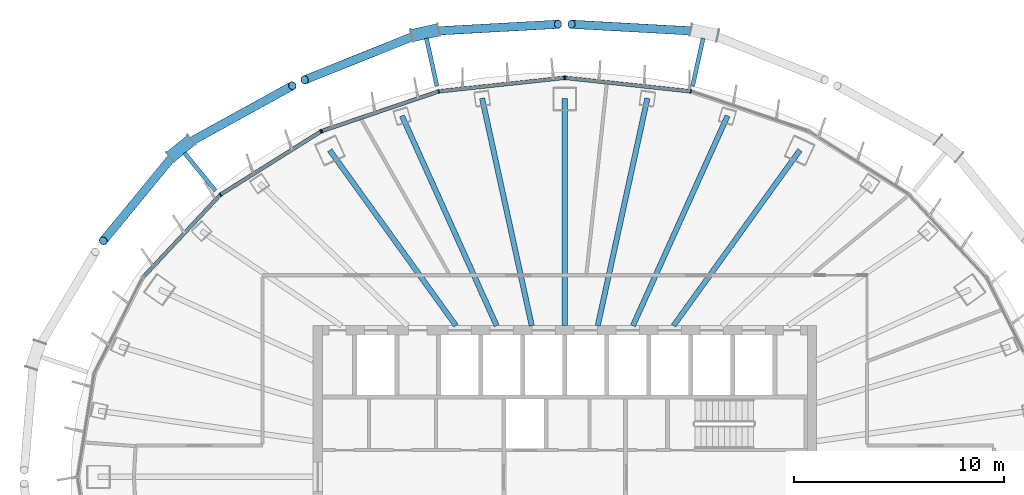
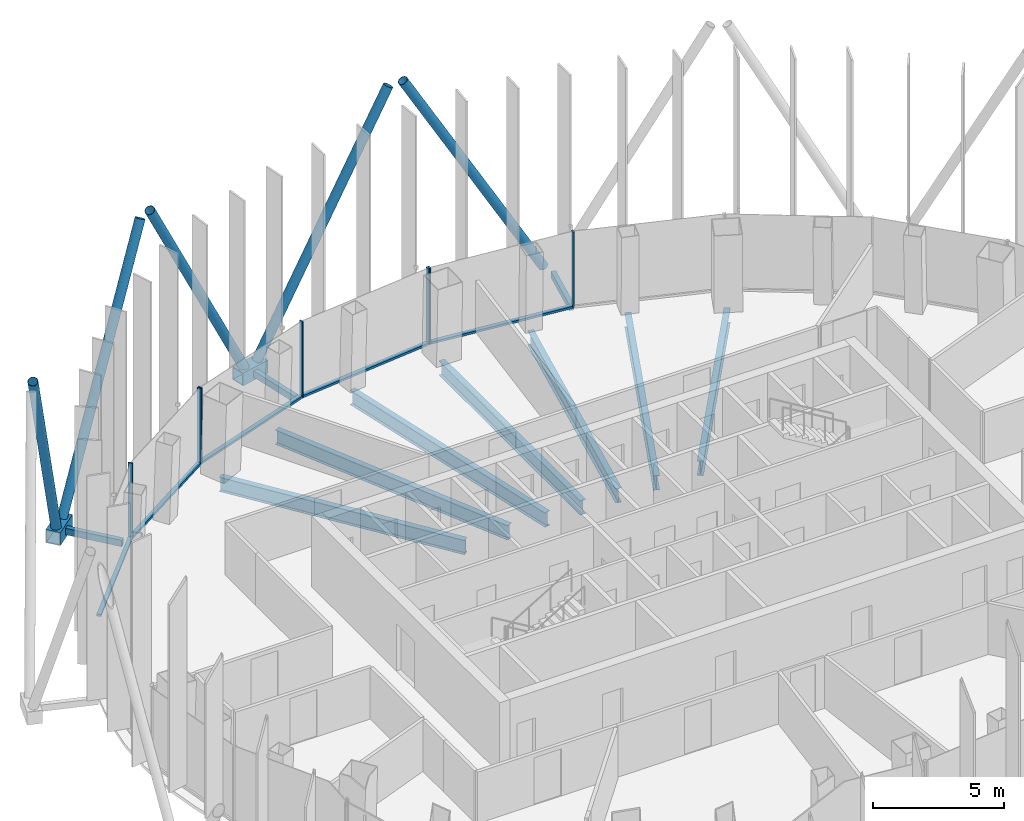
# One storey, part 7 of 19: 22 members, 7 beams, 3 elements without a shape of their own.
"""IFC4 building model written with IfcOpenShell, lengths in metres."""

from ifc_helpers import new_model, si_unit, direction, frame, origin, origin_2d, place, context, subcontext, project, spatial, rectangle, hollow_rectangle, hollow_circle, i_section, extrude, material, layer, layer_set, material_profile, profile_set, type_object, element, aggregate, save


model = new_model("IFC4")

# Units and contexts
model_context = context("Model", 3, precision=1e-05, world=origin(), true_north=direction((0.0, 1.0)))
body_context = subcontext(model_context, "Body", "Model", "MODEL_VIEW")
ifc_project = project(units=[si_unit("LENGTHUNIT", "METRE"), si_unit("AREAUNIT", "SQUARE_METRE"), si_unit("VOLUMEUNIT", "CUBIC_METRE"), si_unit("PLANEANGLEUNIT", "RADIAN"), si_unit("MASSUNIT", "GRAM", prefix="KILO")], contexts=[model_context])

# Site, building, storey
site_placement = place(None, origin())
site = spatial("IfcSite", under=ifc_project, at=site_placement, CompositionType="ELEMENT")
building_placement = place(site_placement, origin())
building = spatial("IfcBuilding", under=site, at=building_placement, Name="Siaravel Broadcast Tower", CompositionType="ELEMENT")
storey_placement = place(building_placement, frame((0.0, 0.0, 179.300048828125)))
storey = spatial("IfcBuildingStorey", under=building, at=storey_placement, Name="L43", CompositionType="ELEMENT", Elevation=179.300048828125)

# Beams
ifc_material_1 = material(Name="Steel S355", Category="steel")
ifc_material_profile_1 = material_profile(ifc_material_1, i_section(OverallWidth=0.2529296875, OverallDepth=0.677978515625, WebThickness=0.01171875, FlangeThickness=0.01611328125, FilletRadius=0.01513671875, at=origin_2d()))
ifc_profile_set_1 = profile_set([ifc_material_profile_1], Name="Steel S355")
beam_type = type_object("IfcBeamType", Name="BM-UB 686x254x125", PredefinedType="BEAM", material=ifc_profile_set_1)
beam_1_placement = place(storey_placement, frame((11.197998046875, 15.559814453125, -0.489013671875), z_axis=(-0.584129245, -0.811660659, 0.0), x_axis=(0.811660659, -0.584129245, 0.0)))
element("IfcBeam", 1, at=beam_1_placement, inside=storey, type_object=beam_type, Name="Radial beam RB07", PredefinedType="BEAM", context=body_context, shape_type="SweptSolid", body=[
    extrude(i_section(OverallWidth=0.2529296875, OverallDepth=0.677978515625, WebThickness=0.01171875, FlangeThickness=0.01611328125, FilletRadius=0.01513671875, at=origin_2d()), origin(), (0.0, 0.0, 1.0), 10.2998046875),
])
beam_2_placement = place(storey_placement, frame((7.7529296875, 17.19580078125, -0.489013671875), z_axis=(-0.411024671, -0.911624221, 0.0), x_axis=(0.911624221, -0.411024671, 0.0)))
element("IfcBeam", 2, at=beam_2_placement, inside=storey, type_object=beam_type, Name="Radial beam RB08", PredefinedType="BEAM", context=body_context, shape_type="SweptSolid", body=[
    extrude(i_section(OverallWidth=0.2529296875, OverallDepth=0.677978515625, WebThickness=0.01171875, FlangeThickness=0.01611328125, FilletRadius=0.01513671875, at=origin_2d()), origin(), (0.0, 0.0, 1.0), 10.96484375),
])
beam_3_placement = place(storey_placement, frame((3.93798828125, 18.033203125, -0.489013671875), z_axis=(-0.213348199, -0.976976226, 0.0), x_axis=(0.976976226, -0.213348199, 0.0)))
element("IfcBeam", 3, at=beam_3_placement, inside=storey, type_object=beam_type, Name="Radial beam RB09", PredefinedType="BEAM", context=body_context, shape_type="SweptSolid", body=[
    extrude(i_section(OverallWidth=0.2529296875, OverallDepth=0.677978515625, WebThickness=0.01171875, FlangeThickness=0.01611328125, FilletRadius=0.01513671875, at=origin_2d()), origin(), (0.0, 0.0, 1.0), 11.088623046875),
])
beam_4_placement = place(storey_placement, frame((0.0, 18.015380859375, -0.489013671875), z_axis=(0.0, -1.0, 0.0), x_axis=(1.0, 0.0, 0.0)))
element("IfcBeam", 4, at=beam_4_placement, inside=storey, type_object=beam_type, Name="Radial beam RB10", PredefinedType="BEAM", context=body_context, shape_type="SweptSolid", body=[
    extrude(i_section(OverallWidth=0.2529296875, OverallDepth=0.677978515625, WebThickness=0.01171875, FlangeThickness=0.01611328125, FilletRadius=0.01513671875, at=origin_2d()), origin(), (0.0, 0.0, 1.0), 10.8154296875),
])
beam_5_placement = place(storey_placement, frame((-3.93798828125, 18.033203125, -0.489013671875), z_axis=(0.213348199, -0.976976226, 0.0), x_axis=(0.976976226, 0.213348199, 0.0)))
element("IfcBeam", 5, at=beam_5_placement, inside=storey, type_object=beam_type, Name="Radial beam RB11", PredefinedType="BEAM", context=body_context, shape_type="SweptSolid", body=[
    extrude(i_section(OverallWidth=0.2529296875, OverallDepth=0.677978515625, WebThickness=0.01171875, FlangeThickness=0.01611328125, FilletRadius=0.01513671875, at=origin_2d()), origin(), (0.0, 0.0, 1.0), 11.088623046875),
])
beam_6_placement = place(storey_placement, frame((-7.7529296875, 17.19580078125, -0.489013671875), z_axis=(0.411024671, -0.911624221, 0.0), x_axis=(0.911624221, 0.411024671, 0.0)))
element("IfcBeam", 6, at=beam_6_placement, inside=storey, type_object=beam_type, Name="Radial beam RB12", PredefinedType="BEAM", context=body_context, shape_type="SweptSolid", body=[
    extrude(i_section(OverallWidth=0.2529296875, OverallDepth=0.677978515625, WebThickness=0.01171875, FlangeThickness=0.01611328125, FilletRadius=0.01513671875, at=origin_2d()), origin(), (0.0, 0.0, 1.0), 10.96484375),
])
beam_7_placement = place(storey_placement, frame((-11.197998046875, 15.559814453125, -0.489013671875), z_axis=(0.584129245, -0.811660659, 0.0), x_axis=(0.811660659, 0.584129245, 0.0)))
element("IfcBeam", 7, at=beam_7_placement, inside=storey, type_object=beam_type, Name="Radial beam RB13", PredefinedType="BEAM", context=body_context, shape_type="SweptSolid", body=[
    extrude(i_section(OverallWidth=0.2529296875, OverallDepth=0.677978515625, WebThickness=0.01171875, FlangeThickness=0.01611328125, FilletRadius=0.01513671875, at=origin_2d()), origin(), (0.0, 0.0, 1.0), 10.2998046875),
])

# Curtain wall, members
ifc_material_2 = material(Name="Aluminium 6063-T6", Category="aluminium")
ifc_layer = layer(ifc_material_2, 0.179931640625)
ifc_layer_set = layer_set([ifc_layer], Name="Aluminium 6063-T6")
curtain_wall_type = type_object("IfcCurtainWallType", Name="Unitised curtain wall, zone 3", PredefinedType="NOTDEFINED", material=ifc_layer_set)
curtain_wall_1_placement = place(storey_placement, origin())
curtain_wall_1 = element("IfcCurtainWall", 8, at=curtain_wall_1_placement, inside=storey, type_object=curtain_wall_type, Name="L43 Unitised curtain wall, zone 3 03", PredefinedType="NOTDEFINED")
ifc_material_profile_2 = material_profile(ifc_material_2, rectangle(XDim=0.179931640625, YDim=0.06005859375, at=origin_2d()))
ifc_profile_set_2 = profile_set([ifc_material_profile_2], Name="Aluminium 6063-T6")
member_type_1 = type_object("IfcMemberType", Name="CW-Z3 mullion", PredefinedType="MULLION", material=ifc_profile_set_2)
member_1_placement = place(storey_placement, frame((6.0009765625, 18.36083984375, 0.0), z_axis=(0.0, 0.0, 1.0), x_axis=(-0.215557889, -0.976491063, 0.0)))
member_1 = element("IfcMember", 9, at=member_1_placement, type_object=member_type_1, Name="CW-Z3 mullion 2", PredefinedType="MULLION", context=body_context, shape_type="SweptSolid", body=[
    extrude(rectangle(XDim=0.179931640625, YDim=0.06005859375, at=origin_2d()), origin(), (0.0, 0.0, 1.0), 3.550048828125),
])
member_2_placement = place(storey_placement, frame((0.02978515625, 19.004638671875, 0.0), z_axis=(0.0, 0.0, 1.0), x_axis=(-0.107217391, -0.994235601, 0.0)))
member_2 = element("IfcMember", 10, at=member_2_placement, type_object=member_type_1, Name="CW-Z3 mullion 3", PredefinedType="MULLION", context=body_context, shape_type="SweptSolid", body=[
    extrude(rectangle(XDim=0.179931640625, YDim=0.06005859375, at=origin_2d()), origin(), (0.0, 0.0, 1.0), 3.550048828125),
])

curtain_wall_2_placement = place(storey_placement, origin())
curtain_wall_2 = element("IfcCurtainWall", 11, at=curtain_wall_2_placement, inside=storey, type_object=curtain_wall_type, Name="L43 Unitised curtain wall, zone 3 04", PredefinedType="NOTDEFINED")
member_3_placement = place(storey_placement, frame((-0.02978515625, 19.004638671875, 0.0), z_axis=(0.0, 0.0, 1.0), x_axis=(0.107217391, -0.994235601, 0.0)))
member_3 = element("IfcMember", 12, at=member_3_placement, type_object=member_type_1, Name="CW-Z3 mullion 1", PredefinedType="MULLION", context=body_context, shape_type="SweptSolid", body=[
    extrude(rectangle(XDim=0.179931640625, YDim=0.06005859375, at=origin_2d()), origin(), (0.0, 0.0, 1.0), 3.550048828125),
])
member_4_placement = place(storey_placement, frame((-6.0009765625, 18.36083984375, 0.0), z_axis=(0.0, 0.0, 1.0), x_axis=(0.215557889, -0.976491063, 0.0)))
member_4 = element("IfcMember", 13, at=member_4_placement, type_object=member_type_1, Name="CW-Z3 mullion 2", PredefinedType="MULLION", context=body_context, shape_type="SweptSolid", body=[
    extrude(rectangle(XDim=0.179931640625, YDim=0.06005859375, at=origin_2d()), origin(), (0.0, 0.0, 1.0), 3.550048828125),
])
member_5_placement = place(storey_placement, frame((-11.565185546875, 16.472900390625, 0.0), z_axis=(0.0, 0.0, 1.0), x_axis=(0.321300369, -0.946977335, 0.0)))
member_5 = element("IfcMember", 14, at=member_5_placement, type_object=member_type_1, Name="CW-Z3 mullion 3", PredefinedType="MULLION", context=body_context, shape_type="SweptSolid", body=[
    extrude(rectangle(XDim=0.179931640625, YDim=0.06005859375, at=origin_2d()), origin(), (0.0, 0.0, 1.0), 3.550048828125),
])

curtain_wall_3_placement = place(storey_placement, origin())
curtain_wall_3 = element("IfcCurtainWall", 15, at=curtain_wall_3_placement, inside=storey, type_object=curtain_wall_type, Name="L43 Unitised curtain wall, zone 3 05", PredefinedType="NOTDEFINED")
member_6_placement = place(storey_placement, frame((-11.618896484375, 16.447265625, 0.0), z_axis=(0.0, 0.0, 1.0), x_axis=(0.532148919, -0.846650771, 0.0)))
member_6 = element("IfcMember", 16, at=member_6_placement, type_object=member_type_1, Name="CW-Z3 mullion 1", PredefinedType="MULLION", context=body_context, shape_type="SweptSolid", body=[
    extrude(rectangle(XDim=0.179931640625, YDim=0.06005859375, at=origin_2d()), origin(), (0.0, 0.0, 1.0), 3.550048828125),
])
member_7_placement = place(storey_placement, frame((-16.397216796875, 13.44384765625, 0.0), z_axis=(0.0, 0.0, 1.0), x_axis=(0.636218366, -0.771509035, 0.0)))
member_7 = element("IfcMember", 17, at=member_7_placement, type_object=member_type_1, Name="CW-Z3 mullion 2", PredefinedType="MULLION", context=body_context, shape_type="SweptSolid", body=[
    extrude(rectangle(XDim=0.179931640625, YDim=0.06005859375, at=origin_2d()), origin(), (0.0, 0.0, 1.0), 3.550048828125),
])

# Member
ifc_material_profile_3 = material_profile(ifc_material_2, rectangle(XDim=0.179931640625, YDim=0.10009765625, at=origin_2d()))
ifc_profile_set_3 = profile_set([ifc_material_profile_3], Name="Aluminium 6063-T6")
member_type_2 = type_object("IfcMemberType", Name="CW-Z3 transom", PredefinedType="USERDEFINED", material=ifc_profile_set_3)
member_8_placement = place(storey_placement, frame((5.97119140625, 18.364013671875, 0.050048828125), z_axis=(-0.994236066, 0.107213083, 0.0), x_axis=(-0.107213083, -0.994236066, 0.0)))
member_8 = element("IfcMember", 18, at=member_8_placement, type_object=member_type_2, Name="CW-Z3 transom 2", ObjectType="TRANSOM", PredefinedType="USERDEFINED", context=body_context, shape_type="SweptSolid", body=[
    extrude(rectangle(XDim=0.179931640625, YDim=0.10009765625, at=origin_2d()), origin(), (0.0, 0.0, 1.0), 5.945556640625),
])

aggregate(curtain_wall_1, [member_1, member_2, member_8])

member_9_placement = place(storey_placement, frame((-0.059814453125, 19.00146484375, 0.050048828125), z_axis=(-0.994236066, -0.107213083, 0.0), x_axis=(0.107213083, -0.994236066, 0.0)))
member_9 = element("IfcMember", 19, at=member_9_placement, type_object=member_type_2, Name="CW-Z3 transom 1", ObjectType="TRANSOM", PredefinedType="USERDEFINED", context=body_context, shape_type="SweptSolid", body=[
    extrude(rectangle(XDim=0.179931640625, YDim=0.10009765625, at=origin_2d()), origin(), (0.0, 0.0, 1.0), 5.945556640625),
])

member_10_placement = place(storey_placement, frame((-6.029296875, 18.35107421875, 0.050048828125), z_axis=(-0.946978016, -0.321298361, 0.0), x_axis=(0.321298361, -0.946978016, 0.0)))
member_10 = element("IfcMember", 20, at=member_10_placement, type_object=member_type_2, Name="CW-Z3 transom 2", ObjectType="TRANSOM", PredefinedType="USERDEFINED", context=body_context, shape_type="SweptSolid", body=[
    extrude(rectangle(XDim=0.179931640625, YDim=0.10009765625, at=origin_2d()), origin(), (0.0, 0.0, 1.0), 5.81591796875),
])

aggregate(curtain_wall_2, [member_3, member_4, member_5, member_9, member_10])

member_11_placement = place(storey_placement, frame((-11.644287109375, 16.431396484375, 0.050048828125), z_axis=(-0.846649494, -0.53215095, 0.0), x_axis=(0.53215095, -0.846649494, 0.0)))
member_11 = element("IfcMember", 21, at=member_11_placement, type_object=member_type_2, Name="CW-Z3 transom 1", ObjectType="TRANSOM", PredefinedType="USERDEFINED", context=body_context, shape_type="SweptSolid", body=[
    extrude(rectangle(XDim=0.179931640625, YDim=0.10009765625, at=origin_2d()), origin(), (0.0, 0.0, 1.0), 5.583740234375),
])

member_12_placement = place(storey_placement, frame((-16.417724609375, 13.422119140625, 0.050048828125), z_axis=(-0.683668525, -0.729792674, 0.0), x_axis=(0.729792674, -0.683668525, 0.0)))
member_12 = element("IfcMember", 22, at=member_12_placement, type_object=member_type_2, Name="CW-Z3 transom 2", ObjectType="TRANSOM", PredefinedType="USERDEFINED", context=body_context, shape_type="SweptSolid", body=[
    extrude(rectangle(XDim=0.179931640625, YDim=0.10009765625, at=origin_2d()), origin(), (0.0, 0.0, 1.0), 5.3037109375),
])

aggregate(curtain_wall_3, [member_6, member_7, member_11, member_12])

# Members
ifc_material_3 = material(Name="Steel S460", Category="steel")
ifc_material_profile_4 = material_profile(ifc_material_3, hollow_circle(Radius=0.203125, WallThickness=0.01611328125, at=origin_2d()))
ifc_profile_set_4 = profile_set([ifc_material_profile_4], Name="Steel S460")
member_type_3 = type_object("IfcMemberType", Name="Diagrid diagonal CHS 406.4x16", PredefinedType="BRACE", material=ifc_profile_set_4)
for number, where, z_axis, x_axis, name in (
    (23, (6.3310546875, 21.224853515625, 0.070068359375), (-0.494301167, 0.027399796, 0.868858796), (-0.055346417, -0.998467212, 0.0), "Diagrid diagonal R18 station 15A"),
    (24, (-6.3310546875, 21.224853515625, 0.070068359375), (0.494301167, 0.027399796, 0.868858796), (-0.055346417, 0.998467212, 0.0), "Diagrid diagonal R18 station 21C"),
):
    element("IfcMember", number, at=place(storey_placement, frame(where, z_axis=z_axis, x_axis=x_axis)), inside=storey, type_object=member_type_3, Name=name, PredefinedType="BRACE", context=body_context, shape_type="SweptSolid", body=[
        extrude(hollow_circle(Radius=0.203125, WallThickness=0.01611328125, at=origin_2d()), origin(), (0.0, 0.0, 1.0), 12.153564453125),
    ])
member_13_placement = place(storey_placement, frame((-6.963134765625, 21.086181640625, 0.070068359375), z_axis=(-0.449666196, -0.180541969, 0.874759916), x_axis=(0.372592122, -0.92799521, 0.0)))
element("IfcMember", 25, at=member_13_placement, inside=storey, type_object=member_type_3, Name="Diagrid diagonal R18 station 21A", PredefinedType="BRACE", context=body_context, shape_type="SweptSolid", body=[
    extrude(hollow_circle(Radius=0.203125, WallThickness=0.01611328125, at=origin_2d()), origin(), (0.0, 0.0, 1.0), 12.07177734375),
])
member_14_placement = place(storey_placement, frame((-18.034423828125, 15.84423828125, 0.070068359375), z_axis=(0.420262562, 0.231470996, 0.877382788), x_axis=(-0.482441263, 0.875928323, 0.0)))
element("IfcMember", 26, at=member_14_placement, inside=storey, type_object=member_type_3, Name="Diagrid diagonal R18 station 27C", PredefinedType="BRACE", context=body_context, shape_type="SweptSolid", body=[
    extrude(hollow_circle(Radius=0.203125, WallThickness=0.01611328125, at=origin_2d()), origin(), (0.0, 0.0, 1.0), 12.03564453125),
])
member_15_placement = place(storey_placement, frame((-18.53515625, 15.43408203125, 0.070068359375), z_axis=(-0.290339433, -0.353136644, 0.889380416), x_axis=(0.772444118, -0.635082738, 0.0)))
element("IfcMember", 27, at=member_15_placement, inside=storey, type_object=member_type_3, Name="Diagrid diagonal R18 station 27A", PredefinedType="BRACE", context=body_context, shape_type="SweptSolid", body=[
    extrude(hollow_circle(Radius=0.203125, WallThickness=0.01611328125, at=origin_2d()), origin(), (0.0, 0.0, 1.0), 11.873291015625),
])
ifc_material_profile_5 = material_profile(ifc_material_3, hollow_rectangle(XDim=0.60009765625, YDim=0.60009765625, WallThickness=0.031982421875, at=origin_2d()))
ifc_profile_set_5 = profile_set([ifc_material_profile_5], Name="Steel S460")
member_type_4 = type_object("IfcMemberType", Name="Diagrid node BOX 600x600x32", PredefinedType="USERDEFINED", material=ifc_profile_set_5)
for number, where, z_axis, x_axis, name in (
    (28, (-6.015380859375, 21.294189453125, -0.199951171875), (-0.976743379, -0.214411687, 0.0), (0.214411687, -0.976743379, 0.0), "Diagrid node R18 station 21"),
    (29, (-17.784423828125, 16.049072265625, -0.199951171875), (-0.773654476, -0.633607727, 0.0), (0.633607727, -0.773654476, 0.0), "Diagrid node R18 station 27"),
):
    element("IfcMember", number, at=place(storey_placement, frame(where, z_axis=z_axis, x_axis=x_axis)), inside=storey, type_object=member_type_4, Name=name, ObjectType="DIAGRID NODE", PredefinedType="USERDEFINED", context=body_context, shape_type="SweptSolid", body=[
        extrude(hollow_rectangle(XDim=0.60009765625, YDim=0.60009765625, WallThickness=0.031982421875, at=origin_2d()), origin(), (0.0, 0.0, 1.0), 1.29345703125),
    ])
ifc_material_profile_6 = material_profile(ifc_material_3, hollow_rectangle(XDim=0.199951171875, YDim=0.300048828125, WallThickness=0.012451171875, at=origin_2d()))
ifc_profile_set_6 = profile_set([ifc_material_profile_6], Name="Steel S460")
member_type_5 = type_object("IfcMemberType", Name="Diagrid node arm RHS 300x200x12.5", PredefinedType="STRUT", material=ifc_profile_set_6)
for number, where, z_axis, x_axis, name in (
    (30, (6.089599609375, 18.615966796875, -0.199951171875), (0.214378037, 0.976750765, 0.0), (-0.976750765, 0.214378037, 0.0), "Node arm R18 station 15"),
    (31, (-6.089599609375, 18.615966796875, -0.199951171875), (-0.214378037, 0.976750765, 0.0), (-0.976750765, -0.214378037, 0.0), "Node arm R18 station 21"),
):
    element("IfcMember", number, at=place(storey_placement, frame(where, z_axis=z_axis, x_axis=x_axis)), inside=storey, type_object=member_type_5, Name=name, PredefinedType="STRUT", context=body_context, shape_type="SweptSolid", body=[
        extrude(hollow_rectangle(XDim=0.199951171875, YDim=0.300048828125, WallThickness=0.012451171875, at=origin_2d()), origin(), (0.0, 0.0, 1.0), 2.330078125),
    ])
member_16_placement = place(storey_placement, frame((-16.63720703125, 13.627685546875, -0.199951171875), z_axis=(-0.633648482, 0.773621097, 0.0), x_axis=(-0.773621097, -0.633648482, 0.0)))
element("IfcMember", 32, at=member_16_placement, inside=storey, type_object=member_type_5, Name="Node arm R18 station 27", PredefinedType="STRUT", context=body_context, shape_type="SweptSolid", body=[
    extrude(hollow_rectangle(XDim=0.199951171875, YDim=0.300048828125, WallThickness=0.012451171875, at=origin_2d()), origin(), (0.0, 0.0, 1.0), 2.330322265625),
])

save(model, "model.ifc")
